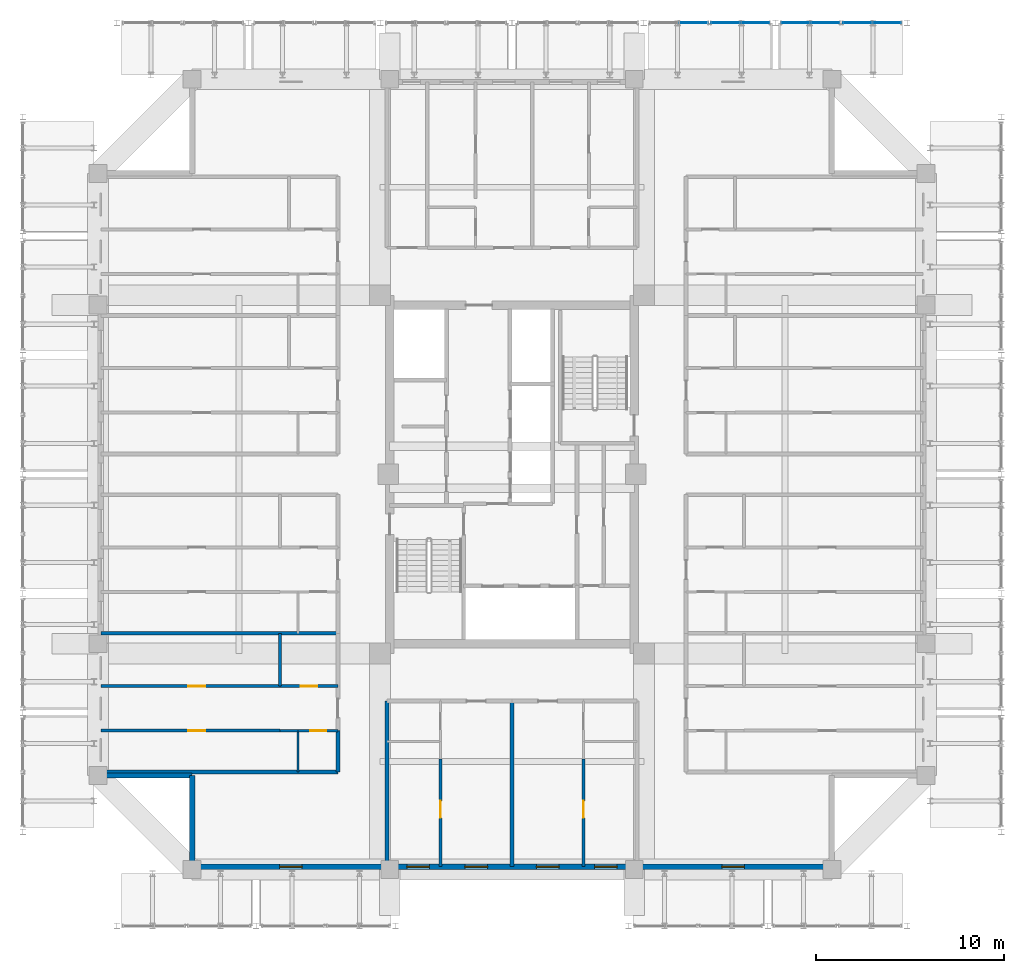
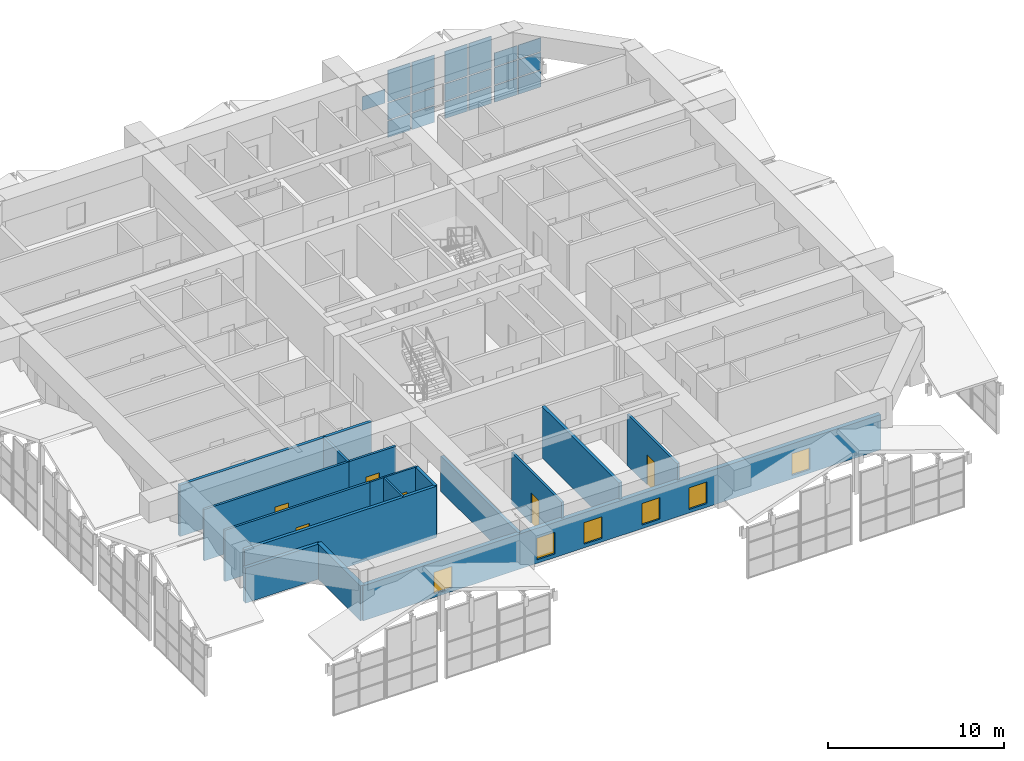
# One storey, part 36 of 45: 19 plates, 17 walls, 6 doors, 6 windows, 12 openings, 4 elements without a shape of their own.
"""IFC4 building model written with IfcOpenShell, lengths in metres."""

import ifcopenshell
import ifcopenshell.guid

model = None  # the IFC model being written
_history = None  # IfcOwnerHistory: only IFC2X3 demands one
_inside = {}  # id of a spatial element -> (the spatial element, [elements in it])
_under = {}  # id of a project, library or spatial element -> (it, [spatial elements below it])
_declared = {}  # id of a project -> (the project, [libraries it declares])
_typed = {}  # id of a type object -> (the type object, [elements of that type])
_made_of = {}  # id of a material, layer set ... -> (it, [elements and type objects made of it])


def new_model(schema):
    """Start an empty IFC model of exactly this schema.

    Asked for "IFC4X3", IfcOpenShell would pick the latest addendum, in which some entities
    have other attributes; the version numbers below select the first issue.
    IFC2X3 requires an IfcOwnerHistory on every rooted entity: one is made here for all.
    """
    global model, _history
    if schema == "IFC4X3":
        model = ifcopenshell.file(schema_version=(4, 3, 0, 0))
    else:
        model = ifcopenshell.file(schema=schema)
    _inside.clear()
    _under.clear()
    _declared.clear()
    _typed.clear()
    _made_of.clear()
    _history = None
    if model.schema == "IFC2X3":
        org = make("IfcOrganization", Name="unknown")
        user = make(
            "IfcPersonAndOrganization",
            ThePerson=make("IfcPerson", FamilyName="unknown"),
            TheOrganization=org,
        )
        app = make(
            "IfcApplication",
            ApplicationDeveloper=org,
            Version="unknown",
            ApplicationFullName="unknown",
            ApplicationIdentifier="unknown",
        )
        _history = make(
            "IfcOwnerHistory",
            OwningUser=user,
            OwningApplication=app,
            ChangeAction="ADDED",
            CreationDate=0,
        )
    return model


def make(cls, **values):
    """One entity of the class cls with the attributes given. An attribute that is None is left unset."""
    return model.create_entity(
        cls, **{name: value for name, value in values.items() if value is not None}
    )


def rooted(cls, **values):
    """An entity with a GlobalId (a new one), such as an element, a storey or a relation."""
    return make(cls, GlobalId=ifcopenshell.guid.new(), OwnerHistory=_history, **values)


def si_unit(unit_type, name, prefix=None):
    """IfcSIUnit, for example si_unit("LENGTHUNIT", "METRE", prefix="MILLI")."""
    return make("IfcSIUnit", UnitType=unit_type, Prefix=prefix, Name=name)


def assignment(units):
    """IfcUnitAssignment: the units of a project."""
    return None if units is None else make("IfcUnitAssignment", Units=units)


def point(xyz):
    """IfcCartesianPoint."""
    return None if xyz is None else make("IfcCartesianPoint", Coordinates=xyz)


def direction(xyz):
    """IfcDirection."""
    return None if xyz is None else make("IfcDirection", DirectionRatios=xyz)


def frame(location, z_axis=None, x_axis=None):
    """IfcAxis2Placement3D, a coordinate frame: its origin and axes. An axis left out is left unset."""
    return make(
        "IfcAxis2Placement3D",
        Location=point(location),
        Axis=direction(z_axis),
        RefDirection=direction(x_axis),
    )


def frame_2d(location, x_axis=None):
    """IfcAxis2Placement2D, a coordinate frame in the plane: its origin and x axis."""
    return make(
        "IfcAxis2Placement2D", Location=point(location), RefDirection=direction(x_axis)
    )


def origin():
    """The frame at (0, 0, 0) with its axes left unset."""
    return frame((0.0, 0.0, 0.0))


def origin_2d():
    """The frame at (0, 0) in the plane with its x axis left unset."""
    return frame_2d((0.0, 0.0))


def place(relative_to, where):
    """IfcLocalPlacement: puts the frame where relative to a parent placement (None: the world)."""
    return make(
        "IfcLocalPlacement", PlacementRelTo=relative_to, RelativePlacement=where
    )


def context(
    kind, dimensions, precision=None, world=None, true_north=None, identifier=None
):
    """IfcGeometricRepresentationContext, for example the 3D "Model" context."""
    return make(
        "IfcGeometricRepresentationContext",
        ContextIdentifier=identifier,
        ContextType=kind,
        CoordinateSpaceDimension=dimensions,
        Precision=precision,
        WorldCoordinateSystem=world,
        TrueNorth=true_north,
    )


def subcontext(parent, identifier, kind, view, scale=None):
    """IfcGeometricRepresentationSubContext, for example "Body" below "Model"."""
    return make(
        "IfcGeometricRepresentationSubContext",
        ContextIdentifier=identifier,
        ContextType=kind,
        ParentContext=parent,
        TargetScale=scale,
        TargetView=view,
    )


def project(units=None, contexts=None):
    """IfcProject with its units and contexts."""
    return rooted(
        "IfcProject",
        Name="project",
        RepresentationContexts=contexts,
        UnitsInContext=assignment(units),
    )


def spatial(cls, under=None, at=None, **own):
    """A site, building, storey or space (cls), placed at a placement, below another one or the project."""
    s = rooted(cls, ObjectPlacement=at, **own)
    if under is not None:
        _under.setdefault(under.id(), (under, []))[1].append(s)
    return s


def profile(cls, at=None, kind="AREA", **sizes):
    """A parametric profile (cls). Its sizes go by their IFC names, for example OverallWidth=200.0."""
    return make(cls, ProfileType=kind, Position=at, **sizes)


def rectangle(**sizes):
    """IfcRectangleProfileDef."""
    return profile("IfcRectangleProfileDef", **sizes)


def extrude(swept, where, along, depth):
    """IfcExtrudedAreaSolid: the profile swept, set in the frame where, extruded along a direction by depth."""
    return make(
        "IfcExtrudedAreaSolid",
        SweptArea=swept,
        Position=where,
        ExtrudedDirection=direction(along),
        Depth=depth,
    )


def shape(context_of_items, identifier, shape_type, items):
    """IfcShapeRepresentation: the items that make up one representation, for example the "Body"."""
    return make(
        "IfcShapeRepresentation",
        ContextOfItems=context_of_items,
        RepresentationIdentifier=identifier,
        RepresentationType=shape_type,
        Items=items,
    )


def source(mapping_origin, context_of_items, identifier, shape_type, items):
    """IfcRepresentationMap: a shape defined once, which mapped items show again and again."""
    return make(
        "IfcRepresentationMap",
        MappingOrigin=mapping_origin,
        MappedRepresentation=shape(context_of_items, identifier, shape_type, items),
    )


def transform(
    local_origin,
    x_axis=None,
    y_axis=None,
    z_axis=None,
    scale=None,
    scale2=None,
    scale3=None,
    uniform=True,
):
    """IfcCartesianTransformationOperator3D, or its non-uniform kind. x_axis, y_axis, z_axis: its Axis1, 2, 3."""
    if uniform:
        return make(
            "IfcCartesianTransformationOperator3D",
            Axis1=direction(x_axis),
            Axis2=direction(y_axis),
            LocalOrigin=point(local_origin),
            Scale=scale,
            Axis3=direction(z_axis),
        )
    return make(
        "IfcCartesianTransformationOperator3DnonUniform",
        Axis1=direction(x_axis),
        Axis2=direction(y_axis),
        LocalOrigin=point(local_origin),
        Scale=scale,
        Axis3=direction(z_axis),
        Scale2=scale2,
        Scale3=scale3,
    )


def mapped(mapping_source, mapping_target):
    """IfcMappedItem: shows the shape of a source again, moved by a transform."""
    return make(
        "IfcMappedItem", MappingSource=mapping_source, MappingTarget=mapping_target
    )


def material(Name=None, Category=None):
    """IfcMaterial."""
    return make("IfcMaterial", Name=Name, Category=Category)


def layer(
    of_material, thickness, ventilated=None, Name=None, Category=None, Priority=None
):
    """IfcMaterialLayer: one layer of a wall or slab, of a material (None: an air gap)."""
    return make(
        "IfcMaterialLayer",
        Material=of_material,
        LayerThickness=thickness,
        IsVentilated=ventilated,
        Name=Name,
        Category=Category,
        Priority=Priority,
    )


def layer_set(layers, Name=None):
    """IfcMaterialLayerSet."""
    return make("IfcMaterialLayerSet", MaterialLayers=layers, LayerSetName=Name)


def made_of(thing, what):
    """Note that an element or type object is made of a material, layer set ...; save() writes the relation."""
    if what is not None:
        _made_of.setdefault(what.id(), (what, []))[1].append(thing)
    return thing


def type_object(cls, material=None, **own):
    """A type object (cls), such as IfcWallType, which elements share."""
    return made_of(rooted(cls, **own), material)


def element(
    cls,
    number,
    at=None,
    inside=None,
    cuts=None,
    type_object=None,
    material=None,
    context=None,
    identifier="Body",
    shape_type=None,
    held_by="IfcProductDefinitionShape",
    body=None,
    shapes=None,
    **own,
):
    """One element of the class cls, such as IfcWall. Its Tag is "e" and its number.

    at: its placement. inside: the storey or other place that contains it. cuts: it is an
    opening in that element (IfcRelVoidsElement). A single representation is given by context,
    identifier, shape_type and body (its items); several are given by shapes. held_by: the class
    of the entity that holds the representations. save() writes the other relations.
    """
    e = rooted(cls, Tag="e%d" % number, ObjectPlacement=at, **own)
    if body is not None:
        shapes = [shape(context, identifier, shape_type, body)]
    if shapes is not None:
        e.Representation = make(held_by, Representations=shapes)
    if inside is not None:
        _inside.setdefault(inside.id(), (inside, []))[1].append(e)
    if cuts is not None:
        rooted(
            "IfcRelVoidsElement", RelatingBuildingElement=cuts, RelatedOpeningElement=e
        )
    if type_object is not None:
        _typed.setdefault(type_object.id(), (type_object, []))[1].append(e)
    return made_of(e, material)


def fill(opening, filler):
    """IfcRelFillsElement: the door or window that sits in an opening."""
    return rooted(
        "IfcRelFillsElement",
        RelatingOpeningElement=opening,
        RelatedBuildingElement=filler,
    )


def aggregate(whole, parts):
    """IfcRelAggregates: a whole, such as a stair, and the parts it consists of."""
    return rooted("IfcRelAggregates", RelatingObject=whole, RelatedObjects=parts)


def save(model, path):
    """Write the relations noted so far, then the file.

    IfcRelAggregates (storeys below a building ...), IfcRelContainedInSpatialStructure (elements
    in a storey), IfcRelDefinesByType, IfcRelAssociatesMaterial and IfcRelDeclares: one each for
    every whole, place, type object, material and project.
    """
    for whole, parts in _under.values():
        aggregate(whole, parts)
    for where, things in _inside.values():
        rooted(
            "IfcRelContainedInSpatialStructure",
            RelatedElements=things,
            RelatingStructure=where,
        )
    for kind, things in _typed.values():
        rooted("IfcRelDefinesByType", RelatedObjects=things, RelatingType=kind)
    for what, things in _made_of.values():
        rooted("IfcRelAssociatesMaterial", RelatedObjects=things, RelatingMaterial=what)
    for by, libraries in _declared.values():
        rooted("IfcRelDeclares", RelatingContext=by, RelatedDefinitions=libraries)
    model.write(path)


model = new_model("IFC4")

# Units and contexts
model_context = context("Model", 3, precision=1e-05, world=origin(), true_north=direction((0.0, 1.0)))
body_context = subcontext(model_context, "Body", "Model", "MODEL_VIEW")
ifc_project = project(units=[si_unit("LENGTHUNIT", "METRE"), si_unit("AREAUNIT", "SQUARE_METRE"), si_unit("VOLUMEUNIT", "CUBIC_METRE"), si_unit("PLANEANGLEUNIT", "RADIAN"), si_unit("MASSUNIT", "GRAM", prefix="KILO")], contexts=[model_context])

# Site, building, storey
site_placement = place(None, origin())
site = spatial("IfcSite", under=ifc_project, at=site_placement, CompositionType="ELEMENT")
building_placement = place(site_placement, origin())
building = spatial("IfcBuilding", under=site, at=building_placement, Name="Saelheon Loggia Tower", CompositionType="ELEMENT")
storey_placement = place(building_placement, frame((0.0, 0.0, 152.199951171875)))
storey = spatial("IfcBuildingStorey", under=building, at=storey_placement, Name="L48", CompositionType="ELEMENT", Elevation=152.199951171875)

# Curtain wall, plates
ifc_material_1 = material(Name="Bronze-Anodised Aluminium and Fritted Ceramic Screen", Category="aluminium")
ifc_layer_1 = layer(ifc_material_1, 0.219970703125)
ifc_layer_set_1 = layer_set([ifc_layer_1], Name="Bronze-Anodised Aluminium and Fritted Ceramic Screen")
curtain_wall_type = type_object("IfcCurtainWallType", Name="CW_CrownScreen", PredefinedType="NOTDEFINED", material=ifc_layer_set_1)
curtain_wall_1_placement = place(storey_placement, origin())
curtain_wall_1 = element("IfcCurtainWall", 1, at=curtain_wall_1_placement, inside=storey, type_object=curtain_wall_type, Name="Tier 1 Wave Crest Glazing N 05-2", PredefinedType="NOTDEFINED")
ifc_material_2 = material(Name="Bronze Ceramic Fritted Spandrel Panel", Category="aluminium")
ifc_layer_2 = layer(ifc_material_2, 0.0380859375)
ifc_layer_set_2 = layer_set([ifc_layer_2], Name="Bronze Ceramic Fritted Spandrel Panel")
plate_type = type_object("IfcPlateType", Name="CW_CrownScreen_Panel", PredefinedType="CURTAIN_PANEL", material=ifc_layer_set_2)
shared_shape_1 = source(origin(), body_context, "Body", "SweptSolid", [
    extrude(rectangle(XDim=1.4951171875, YDim=0.0380859375, at=origin_2d()), origin(), (0.0, 0.0, 1.0), 1.14501953125),
])
plate_1_placement = place(storey_placement, frame((49.347412109375, 51.0, -3.3798828125), z_axis=(0.0, 0.0, 1.0), x_axis=(1.0, 0.0, 0.0)))
plate_1 = element("IfcPlate", 2, at=plate_1_placement, type_object=plate_type, Name="CW6 panel 1.1", PredefinedType="CURTAIN_PANEL", context=body_context, shape_type="MappedRepresentation", body=[
    mapped(shared_shape_1, transform((0.0, 0.0, 0.0), scale=1.0)),
])
plate_2_placement = place(storey_placement, frame((50.91259765625, 51.0, -3.3798828125), z_axis=(0.0, 0.0, 1.0), x_axis=(1.0, 0.0, 0.0)))
plate_2 = element("IfcPlate", 3, at=plate_2_placement, type_object=plate_type, Name="CW6 panel 2.1", PredefinedType="CURTAIN_PANEL", context=body_context, shape_type="MappedRepresentation", body=[
    mapped(shared_shape_1, transform((0.0, 0.0, 0.0), scale=1.0)),
])

curtain_wall_2_placement = place(storey_placement, origin())
curtain_wall_2 = element("IfcCurtainWall", 4, at=curtain_wall_2_placement, inside=storey, type_object=curtain_wall_type, Name="Tier 1 Wave Crest Glazing N 06-1", PredefinedType="NOTDEFINED")
plate_3_placement = place(storey_placement, frame((53.08740234375, 51.0, -3.3798828125), z_axis=(0.0, 0.0, 1.0), x_axis=(1.0, 0.0, 0.0)))
plate_3 = element("IfcPlate", 5, at=plate_3_placement, type_object=plate_type, Name="CW6 panel 1.1", PredefinedType="CURTAIN_PANEL", context=body_context, shape_type="MappedRepresentation", body=[
    mapped(shared_shape_1, transform((0.0, 0.0, 0.0), scale=1.0)),
])
plate_4_placement = place(storey_placement, frame((54.652587890625, 51.0, -3.3798828125), z_axis=(0.0, 0.0, 1.0), x_axis=(1.0, 0.0, 0.0)))
plate_4 = element("IfcPlate", 6, at=plate_4_placement, type_object=plate_type, Name="CW6 panel 2.1", PredefinedType="CURTAIN_PANEL", context=body_context, shape_type="MappedRepresentation", body=[
    mapped(shared_shape_1, transform((0.0, 0.0, 0.0), scale=1.0)),
])

curtain_wall_3_placement = place(storey_placement, origin())
curtain_wall_3 = element("IfcCurtainWall", 7, at=curtain_wall_3_placement, inside=storey, type_object=curtain_wall_type, Name="Tier 1 Wave Crest Glazing N 06-2", PredefinedType="NOTDEFINED")
plate_5_placement = place(storey_placement, frame((56.347412109375, 51.0, -3.3798828125), z_axis=(0.0, 0.0, 1.0), x_axis=(1.0, 0.0, 0.0)))
plate_5 = element("IfcPlate", 8, at=plate_5_placement, type_object=plate_type, Name="CW6 panel 1.1", PredefinedType="CURTAIN_PANEL", context=body_context, shape_type="MappedRepresentation", body=[
    mapped(shared_shape_1, transform((0.0, 0.0, 0.0), scale=1.0)),
])
plate_6_placement = place(storey_placement, frame((57.91259765625, 51.0, -3.3798828125), z_axis=(0.0, 0.0, 1.0), x_axis=(1.0, 0.0, 0.0)))
plate_6 = element("IfcPlate", 9, at=plate_6_placement, type_object=plate_type, Name="CW6 panel 2.1", PredefinedType="CURTAIN_PANEL", context=body_context, shape_type="MappedRepresentation", body=[
    mapped(shared_shape_1, transform((0.0, 0.0, 0.0), scale=1.0)),
])

# Plate
shared_shape_2 = source(origin(), body_context, "Body", "SweptSolid", [
    extrude(rectangle(XDim=1.4951171875, YDim=0.0380859375, at=origin_2d()), origin(), (0.0, 0.0, 1.0), 1.179931640625),
])
plate_7_placement = place(storey_placement, frame((49.347412109375, 51.0, -2.1650390625), z_axis=(0.0, 0.0, 1.0), x_axis=(1.0, 0.0, 0.0)))
plate_7 = element("IfcPlate", 10, at=plate_7_placement, type_object=plate_type, Name="CW6 panel 1.2", PredefinedType="CURTAIN_PANEL", context=body_context, shape_type="MappedRepresentation", body=[
    mapped(shared_shape_2, transform((0.0, 0.0, 0.0), scale=1.0)),
])

plate_8_placement = place(storey_placement, frame((50.91259765625, 51.0, -2.1650390625), z_axis=(0.0, 0.0, 1.0), x_axis=(1.0, 0.0, 0.0)))
plate_8 = element("IfcPlate", 11, at=plate_8_placement, type_object=plate_type, Name="CW6 panel 2.2", PredefinedType="CURTAIN_PANEL", context=body_context, shape_type="MappedRepresentation", body=[
    mapped(shared_shape_2, transform((0.0, 0.0, 0.0), scale=1.0)),
])

plate_9_placement = place(storey_placement, frame((53.08740234375, 51.0, -2.1650390625), z_axis=(0.0, 0.0, 1.0), x_axis=(1.0, 0.0, 0.0)))
plate_9 = element("IfcPlate", 12, at=plate_9_placement, type_object=plate_type, Name="CW6 panel 1.2", PredefinedType="CURTAIN_PANEL", context=body_context, shape_type="MappedRepresentation", body=[
    mapped(shared_shape_2, transform((0.0, 0.0, 0.0), scale=1.0)),
])

plate_10_placement = place(storey_placement, frame((54.652587890625, 51.0, -2.1650390625), z_axis=(0.0, 0.0, 1.0), x_axis=(1.0, 0.0, 0.0)))
plate_10 = element("IfcPlate", 13, at=plate_10_placement, type_object=plate_type, Name="CW6 panel 2.2", PredefinedType="CURTAIN_PANEL", context=body_context, shape_type="MappedRepresentation", body=[
    mapped(shared_shape_2, transform((0.0, 0.0, 0.0), scale=1.0)),
])

plate_11_placement = place(storey_placement, frame((56.347412109375, 51.0, -2.1650390625), z_axis=(0.0, 0.0, 1.0), x_axis=(1.0, 0.0, 0.0)))
plate_11 = element("IfcPlate", 14, at=plate_11_placement, type_object=plate_type, Name="CW6 panel 1.2", PredefinedType="CURTAIN_PANEL", context=body_context, shape_type="MappedRepresentation", body=[
    mapped(shared_shape_2, transform((0.0, 0.0, 0.0), scale=1.0)),
])

plate_12_placement = place(storey_placement, frame((57.91259765625, 51.0, -2.1650390625), z_axis=(0.0, 0.0, 1.0), x_axis=(1.0, 0.0, 0.0)))
plate_12 = element("IfcPlate", 15, at=plate_12_placement, type_object=plate_type, Name="CW6 panel 2.2", PredefinedType="CURTAIN_PANEL", context=body_context, shape_type="MappedRepresentation", body=[
    mapped(shared_shape_2, transform((0.0, 0.0, 0.0), scale=1.0)),
])

# Curtain wall, plate
curtain_wall_4_placement = place(storey_placement, origin())
curtain_wall_4 = element("IfcCurtainWall", 16, at=curtain_wall_4_placement, inside=storey, type_object=curtain_wall_type, Name="Tier 1 Wave Crest Glazing N 05-1", PredefinedType="NOTDEFINED")
shared_shape_3 = source(origin(), body_context, "Body", "SweptSolid", [
    extrude(rectangle(XDim=1.4951171875, YDim=0.0380859375, at=origin_2d()), origin(), (0.0, 0.0, 1.0), 0.955078125),
])
plate_13_placement = place(storey_placement, frame((47.652587890625, 51.0, -0.9150390625), z_axis=(0.0, 0.0, 1.0), x_axis=(1.0, 0.0, 0.0)))
plate_13 = element("IfcPlate", 17, at=plate_13_placement, type_object=plate_type, Name="CW6 panel 2.3", PredefinedType="CURTAIN_PANEL", context=body_context, shape_type="MappedRepresentation", body=[
    mapped(shared_shape_3, transform((0.0, 0.0, 0.0), scale=1.0)),
])
aggregate(curtain_wall_4, [plate_13])

# Plate
plate_14_placement = place(storey_placement, frame((56.347412109375, 51.0, -0.9150390625), z_axis=(0.0, 0.0, 1.0), x_axis=(1.0, 0.0, 0.0)))
plate_14 = element("IfcPlate", 18, at=plate_14_placement, type_object=plate_type, Name="CW6 panel 1.3", PredefinedType="CURTAIN_PANEL", context=body_context, shape_type="MappedRepresentation", body=[
    mapped(shared_shape_3, transform((0.0, 0.0, 0.0), scale=1.0)),
])

plate_15_placement = place(storey_placement, frame((57.91259765625, 51.0, -0.9150390625), z_axis=(0.0, 0.0, 1.0), x_axis=(1.0, 0.0, 0.0)))
plate_15 = element("IfcPlate", 19, at=plate_15_placement, type_object=plate_type, Name="CW6 panel 2.3", PredefinedType="CURTAIN_PANEL", context=body_context, shape_type="MappedRepresentation", body=[
    mapped(shared_shape_3, transform((0.0, 0.0, 0.0), scale=1.0)),
])

aggregate(curtain_wall_3, [plate_5, plate_11, plate_14, plate_6, plate_12, plate_15])

shared_shape_4 = source(origin(), body_context, "Body", "SweptSolid", [
    extrude(rectangle(XDim=1.4951171875, YDim=0.0380859375, at=origin_2d()), origin(), (0.0, 0.0, 1.0), 2.205078125),
])
plate_16_placement = place(storey_placement, frame((49.347412109375, 51.0, -0.9150390625), z_axis=(0.0, 0.0, 1.0), x_axis=(1.0, 0.0, 0.0)))
plate_16 = element("IfcPlate", 20, at=plate_16_placement, type_object=plate_type, Name="CW6 panel 1.3", PredefinedType="CURTAIN_PANEL", context=body_context, shape_type="MappedRepresentation", body=[
    mapped(shared_shape_4, transform((0.0, 0.0, 0.0), scale=1.0)),
])

plate_17_placement = place(storey_placement, frame((50.91259765625, 51.0, -0.9150390625), z_axis=(0.0, 0.0, 1.0), x_axis=(1.0, 0.0, 0.0)))
plate_17 = element("IfcPlate", 21, at=plate_17_placement, type_object=plate_type, Name="CW6 panel 2.3", PredefinedType="CURTAIN_PANEL", context=body_context, shape_type="MappedRepresentation", body=[
    mapped(shared_shape_4, transform((0.0, 0.0, 0.0), scale=1.0)),
])

aggregate(curtain_wall_1, [plate_1, plate_7, plate_16, plate_2, plate_8, plate_17])

plate_18_placement = place(storey_placement, frame((53.08740234375, 51.0, -0.9150390625), z_axis=(0.0, 0.0, 1.0), x_axis=(1.0, 0.0, 0.0)))
plate_18 = element("IfcPlate", 22, at=plate_18_placement, type_object=plate_type, Name="CW6 panel 1.3", PredefinedType="CURTAIN_PANEL", context=body_context, shape_type="MappedRepresentation", body=[
    mapped(shared_shape_4, transform((0.0, 0.0, 0.0), scale=1.0)),
])

plate_19_placement = place(storey_placement, frame((54.652587890625, 51.0, -0.9150390625), z_axis=(0.0, 0.0, 1.0), x_axis=(1.0, 0.0, 0.0)))
plate_19 = element("IfcPlate", 23, at=plate_19_placement, type_object=plate_type, Name="CW6 panel 2.3", PredefinedType="CURTAIN_PANEL", context=body_context, shape_type="MappedRepresentation", body=[
    mapped(shared_shape_4, transform((0.0, 0.0, 0.0), scale=1.0)),
])

aggregate(curtain_wall_2, [plate_3, plate_9, plate_18, plate_4, plate_10, plate_19])

# Wall, openings, windows
ifc_material_3 = material(Name="Architectural Precast Concrete C40/50", Category="concrete")
ifc_layer_3 = layer(ifc_material_3, 0.280029296875)
ifc_layer_set_3 = layer_set([ifc_layer_3], Name="Architectural Precast Concrete C40/50")
wall_type_1 = type_object("IfcWallType", Name="Wall_Ext_Loggia_280", PredefinedType="SOLIDWALL", material=ifc_layer_set_3)
wall_1_placement = place(storey_placement, frame((21.0, 6.139892578125, 0.0), z_axis=(0.0, 0.0, 1.0), x_axis=(1.0, 0.0, 0.0)))
wall_1 = element("IfcWall", 24, at=wall_1_placement, inside=storey, type_object=wall_type_1, Name="L48 South Loggia Inner Wall", PredefinedType="SOLIDWALL", context=body_context, shape_type="SweptSolid", body=[
    extrude(rectangle(XDim=34.0, YDim=0.280029296875, at=frame_2d((17.0, 0.0))), origin(), (0.0, 0.0, 1.0), 2.43994140625),
])
opening_1_placement = place(wall_1_placement, frame((4.64990234375, 0.0, 0.25)))
opening_1 = element("IfcOpeningElement", 25, at=opening_1_placement, cuts=wall_1, Name="Opening WN-03", PredefinedType="OPENING", context=body_context, shape_type="SweptSolid", body=[
    extrude(rectangle(XDim=1.199951171875, YDim=1.5, at=frame_2d((0.60009765625, 0.75))), frame((0.0, 0.152099609375, 0.0), z_axis=(0.0, -1.0, 0.0), x_axis=(1.0, 0.0, 0.0)), (0.0, 0.0, 1.0), 0.303955078125),
])
opening_2_placement = place(wall_1_placement, frame((11.407470703125, 0.0, 0.25)))
opening_2 = element("IfcOpeningElement", 26, at=opening_2_placement, cuts=wall_1, Name="Opening WN-03", PredefinedType="OPENING", context=body_context, shape_type="SweptSolid", body=[
    extrude(rectangle(XDim=1.199951171875, YDim=1.5, at=frame_2d((0.60009765625, 0.75))), frame((0.0, 0.152099609375, 0.0), z_axis=(0.0, -1.0, 0.0), x_axis=(1.0, 0.0, 0.0)), (0.0, 0.0, 1.0), 0.303955078125),
])
opening_3_placement = place(wall_1_placement, frame((14.5, 0.0, 0.25)))
opening_3 = element("IfcOpeningElement", 27, at=opening_3_placement, cuts=wall_1, Name="Opening WN-03", PredefinedType="OPENING", context=body_context, shape_type="SweptSolid", body=[
    extrude(rectangle(XDim=1.199951171875, YDim=1.5, at=frame_2d((0.60009765625, 0.75))), frame((0.0, 0.152099609375, 0.0), z_axis=(0.0, -1.0, 0.0), x_axis=(1.0, 0.0, 0.0)), (0.0, 0.0, 1.0), 0.303955078125),
])
opening_4_placement = place(wall_1_placement, frame((18.300048828125, 0.0, 0.25)))
opening_4 = element("IfcOpeningElement", 28, at=opening_4_placement, cuts=wall_1, Name="Opening WN-03", PredefinedType="OPENING", context=body_context, shape_type="SweptSolid", body=[
    extrude(rectangle(XDim=1.199951171875, YDim=1.5, at=frame_2d((0.60009765625, 0.75))), frame((0.0, 0.152099609375, 0.0), z_axis=(0.0, -1.0, 0.0), x_axis=(1.0, 0.0, 0.0)), (0.0, 0.0, 1.0), 0.303955078125),
])
opening_5_placement = place(wall_1_placement, frame((21.392578125, 0.0, 0.25)))
opening_5 = element("IfcOpeningElement", 29, at=opening_5_placement, cuts=wall_1, Name="Opening WN-03", PredefinedType="OPENING", context=body_context, shape_type="SweptSolid", body=[
    extrude(rectangle(XDim=1.199951171875, YDim=1.5, at=frame_2d((0.60009765625, 0.75))), frame((0.0, 0.152099609375, 0.0), z_axis=(0.0, -1.0, 0.0), x_axis=(1.0, 0.0, 0.0)), (0.0, 0.0, 1.0), 0.303955078125),
])
opening_6_placement = place(wall_1_placement, frame((28.14990234375, 0.0, 0.25)))
opening_6 = element("IfcOpeningElement", 30, at=opening_6_placement, cuts=wall_1, Name="Opening WN-03", PredefinedType="OPENING", context=body_context, shape_type="SweptSolid", body=[
    extrude(rectangle(XDim=1.199951171875, YDim=1.5, at=frame_2d((0.60009765625, 0.75))), frame((0.0, 0.152099609375, 0.0), z_axis=(0.0, -1.0, 0.0), x_axis=(1.0, 0.0, 0.0)), (0.0, 0.0, 1.0), 0.303955078125),
])
ifc_material_4 = material(Name="Thermal-Break Aluminium and Triple Low-E Glass", Category="aluminium")
window_type = type_object("IfcWindowType", Name="Win_Bedroom_1200x1500", PartitioningType="SINGLE_PANEL", PredefinedType="WINDOW", material=ifc_material_4)
shared_shape_5 = source(origin(), body_context, "Body", "SweptSolid", [
    extrude(rectangle(XDim=1.199951171875, YDim=1.5, at=frame_2d((0.60009765625, 0.75))), frame((0.0, 0.030029296875, 0.0), z_axis=(0.0, -1.0, 0.0), x_axis=(1.0, 0.0, 0.0)), (0.0, 0.0, 1.0), 0.06005859375),
])
window_1_placement = place(opening_1_placement, origin())
window_1 = element("IfcWindow", 31, at=window_1_placement, inside=storey, type_object=window_type, Name="L48 S Dwelling Window 1", OverallHeight=1.5, OverallWidth=1.199951171875, PartitioningType="SINGLE_PANEL", PredefinedType="WINDOW", context=body_context, shape_type="MappedRepresentation", body=[
    mapped(shared_shape_5, transform((0.0, 0.0, 0.0), scale=1.0)),
])
fill(opening_1, window_1)
window_2_placement = place(opening_2_placement, origin())
window_2 = element("IfcWindow", 32, at=window_2_placement, inside=storey, type_object=window_type, Name="L48 S Dwelling Window 2", OverallHeight=1.5, OverallWidth=1.199951171875, PartitioningType="SINGLE_PANEL", PredefinedType="WINDOW", context=body_context, shape_type="MappedRepresentation", body=[
    mapped(shared_shape_5, transform((0.0, 0.0, 0.0), scale=1.0)),
])
fill(opening_2, window_2)
window_3_placement = place(opening_3_placement, origin())
window_3 = element("IfcWindow", 33, at=window_3_placement, inside=storey, type_object=window_type, Name="L48 S Dwelling Window 3", OverallHeight=1.5, OverallWidth=1.199951171875, PartitioningType="SINGLE_PANEL", PredefinedType="WINDOW", context=body_context, shape_type="MappedRepresentation", body=[
    mapped(shared_shape_5, transform((0.0, 0.0, 0.0), scale=1.0)),
])
fill(opening_3, window_3)
window_4_placement = place(opening_4_placement, origin())
window_4 = element("IfcWindow", 34, at=window_4_placement, inside=storey, type_object=window_type, Name="L48 S Dwelling Window 4", OverallHeight=1.5, OverallWidth=1.199951171875, PartitioningType="SINGLE_PANEL", PredefinedType="WINDOW", context=body_context, shape_type="MappedRepresentation", body=[
    mapped(shared_shape_5, transform((0.0, 0.0, 0.0), scale=1.0)),
])
fill(opening_4, window_4)
window_5_placement = place(opening_5_placement, origin())
window_5 = element("IfcWindow", 35, at=window_5_placement, inside=storey, type_object=window_type, Name="L48 S Dwelling Window 5", OverallHeight=1.5, OverallWidth=1.199951171875, PartitioningType="SINGLE_PANEL", PredefinedType="WINDOW", context=body_context, shape_type="MappedRepresentation", body=[
    mapped(shared_shape_5, transform((0.0, 0.0, 0.0), scale=1.0)),
])
fill(opening_5, window_5)
window_6_placement = place(opening_6_placement, origin())
window_6 = element("IfcWindow", 36, at=window_6_placement, inside=storey, type_object=window_type, Name="L48 S Dwelling Window 6", OverallHeight=1.5, OverallWidth=1.199951171875, PartitioningType="SINGLE_PANEL", PredefinedType="WINDOW", context=body_context, shape_type="MappedRepresentation", body=[
    mapped(shared_shape_5, transform((0.0, 0.0, 0.0), scale=1.0)),
])
fill(opening_6, window_6)

# Walls
for number, where, z_axis, x_axis, name in (
    (37, (21.0, 6.080078125, 0.0), (0.0, 0.0, 1.0), (0.0, 1.0, 0.0), "L48 Corner Notch Precast Wall SW1"),
    (38, (16.080078125, 11.0, 0.0), (0.0, 0.0, 1.0), (1.0, 0.0, 0.0), "L48 Corner Notch Precast Wall SW2"),
):
    element("IfcWall", number, at=place(storey_placement, frame(where, z_axis=z_axis, x_axis=x_axis)), inside=storey, type_object=wall_type_1, Name=name, PredefinedType="SOLIDWALL", context=body_context, shape_type="SweptSolid", body=[
        extrude(rectangle(XDim=4.919921875, YDim=0.280029296875, at=frame_2d((2.4599609375, 0.0))), origin(), (0.0, 0.0, 1.0), 2.43994140625),
    ])

# Wall, opening, door
ifc_material_5 = material(Name="Lightweight Autoclaved Aerated Concrete Block and Acoustic Gypsum", Category="concrete")
ifc_layer_4 = layer(ifc_material_5, 0.14990234375)
ifc_layer_set_4 = layer_set([ifc_layer_4], Name="Lightweight Autoclaved Aerated Concrete Block and Acoustic Gypsum")
wall_type_2 = type_object("IfcWallType", Name="Wall_Part_150", PredefinedType="PARTITIONING", material=ifc_layer_set_4)
wall_2_placement = place(storey_placement, frame((34.199951171875, 11.8701171875, 0.0), z_axis=(0.0, 0.0, 1.0), x_axis=(0.0, -1.0, 0.0)))
wall_2 = element("IfcWall", 39, at=wall_2_placement, inside=storey, type_object=wall_type_2, Name="L48 S Partition U08", PredefinedType="PARTITIONING", context=body_context, shape_type="SweptSolid", body=[
    extrude(rectangle(XDim=5.72021484375, YDim=0.14990234375, at=frame_2d((2.860107421875, 0.0))), origin(), (0.0, 0.0, 1.0), 3.56005859375),
])
opening_7_placement = place(wall_2_placement, frame((2.229248046875, 0.0, 0.0)))
opening_7 = element("IfcOpeningElement", 40, at=opening_7_placement, cuts=wall_2, Name="Opening D-IN2", PredefinedType="OPENING", context=body_context, shape_type="SweptSolid", body=[
    extrude(rectangle(XDim=0.89990234375, YDim=2.10009765625, at=frame_2d((0.449951171875, 1.050048828125))), frame((0.0, 0.0869140625, 0.0), z_axis=(0.0, -1.0, 0.0), x_axis=(1.0, 0.0, 0.0)), (0.0, 0.0, 1.0), 0.173828125),
])
ifc_material_6 = material(Name="Engineered Oak Flush Door", Category="timber")
door_type_1 = type_object("IfcDoorType", Name="Door_Int_900", OperationType="NOTDEFINED", PredefinedType="DOOR", material=ifc_material_6)
shared_shape_6 = source(origin(), body_context, "Body", "SweptSolid", [
    extrude(rectangle(XDim=0.89990234375, YDim=2.10009765625, at=frame_2d((0.449951171875, 1.050048828125))), frame((0.0, 0.02490234375, 0.0), z_axis=(0.0, -1.0, 0.0), x_axis=(1.0, 0.0, 0.0)), (0.0, 0.0, 1.0), 0.050048828125),
])
door_1_placement = place(opening_7_placement, origin())
door_1 = element("IfcDoor", 41, at=door_1_placement, inside=storey, type_object=door_type_1, Name="Unit U01 Kitchen Door", OperationType="SINGLE_SWING_LEFT", OverallHeight=2.10009765625, OverallWidth=0.89990234375, PredefinedType="DOOR", context=body_context, shape_type="MappedRepresentation", body=[
    mapped(shared_shape_6, transform((0.0, 0.0, 0.0), scale=1.0)),
])
fill(opening_7, door_1)

wall_3_placement = place(storey_placement, frame((41.800048828125, 11.8701171875, 0.0), z_axis=(0.0, 0.0, 1.0), x_axis=(0.0, -1.0, 0.0)))
wall_3 = element("IfcWall", 42, at=wall_3_placement, inside=storey, type_object=wall_type_2, Name="L48 S Partition U15", PredefinedType="PARTITIONING", context=body_context, shape_type="SweptSolid", body=[
    extrude(rectangle(XDim=5.72021484375, YDim=0.14990234375, at=frame_2d((2.860107421875, 0.0))), origin(), (0.0, 0.0, 1.0), 3.56005859375),
])
opening_8_placement = place(wall_3_placement, frame((2.229248046875, 0.0, 0.0)))
opening_8 = element("IfcOpeningElement", 43, at=opening_8_placement, cuts=wall_3, Name="Opening D-IN2", PredefinedType="OPENING", context=body_context, shape_type="SweptSolid", body=[
    extrude(rectangle(XDim=0.89990234375, YDim=2.10009765625, at=frame_2d((0.449951171875, 1.050048828125))), frame((0.0, 0.0869140625, 0.0), z_axis=(0.0, -1.0, 0.0), x_axis=(1.0, 0.0, 0.0)), (0.0, 0.0, 1.0), 0.173828125),
])
door_2_placement = place(opening_8_placement, origin())
door_2 = element("IfcDoor", 44, at=door_2_placement, inside=storey, type_object=door_type_1, Name="Unit U02 Kitchen Door", OperationType="SINGLE_SWING_RIGHT", OverallHeight=2.10009765625, OverallWidth=0.89990234375, PredefinedType="DOOR", context=body_context, shape_type="MappedRepresentation", body=[
    mapped(shared_shape_6, transform((0.0, 0.0, 0.0), scale=1.0)),
])
fill(opening_8, door_2)

# Wall
wall_4_placement = place(storey_placement, frame((25.669921875, 15.74951171875, 0.0), z_axis=(0.0, 0.0, 1.0), x_axis=(0.0, 1.0, 0.0)))
element("IfcWall", 45, at=wall_4_placement, inside=storey, type_object=wall_type_2, Name="L48 WS Partition V07", PredefinedType="PARTITIONING", context=body_context, shape_type="SweptSolid", body=[
    extrude(rectangle(XDim=2.800537109375, YDim=0.14990234375, at=frame_2d((1.400390625, 0.0))), origin(), (0.0, 0.0, 1.0), 3.56005859375),
])

# Wall, opening, door
wall_5_placement = place(storey_placement, frame((25.669921875, 13.3798828125, 0.0), z_axis=(0.0, 0.0, 1.0), x_axis=(-1.0, 0.0, 0.0)))
wall_5 = element("IfcWall", 46, at=wall_5_placement, inside=storey, type_object=wall_type_2, Name="L48 WS Partition U10", PredefinedType="PARTITIONING", context=body_context, shape_type="SweptSolid", body=[
    extrude(rectangle(XDim=9.52001953125, YDim=0.14990234375, at=frame_2d((4.760009765625, 0.0))), origin(), (0.0, 0.0, 1.0), 3.56005859375),
])
opening_9_placement = place(wall_5_placement, frame((3.970703125, 0.0, 0.0)))
opening_9 = element("IfcOpeningElement", 47, at=opening_9_placement, cuts=wall_5, Name="Opening D-IN2", PredefinedType="OPENING", context=body_context, shape_type="SweptSolid", body=[
    extrude(rectangle(XDim=0.89990234375, YDim=2.10009765625, at=frame_2d((0.449951171875, 1.050048828125))), frame((0.0, 0.0869140625, 0.0), z_axis=(0.0, -1.0, 0.0), x_axis=(1.0, 0.0, 0.0)), (0.0, 0.0, 1.0), 0.173828125),
])
door_3_placement = place(opening_9_placement, origin())
door_3 = element("IfcDoor", 48, at=door_3_placement, inside=storey, type_object=door_type_1, Name="Unit U05 Kitchen Door", OperationType="SINGLE_SWING_RIGHT", OverallHeight=2.10009765625, OverallWidth=0.89990234375, PredefinedType="DOOR", context=body_context, shape_type="MappedRepresentation", body=[
    mapped(shared_shape_6, transform((0.0, 0.0, 0.0), scale=1.0)),
])
fill(opening_9, door_3)

wall_6_placement = place(storey_placement, frame((28.75, 15.74951171875, 0.0), z_axis=(0.0, 0.0, 1.0), x_axis=(-1.0, 0.0, 0.0)))
wall_6 = element("IfcWall", 49, at=wall_6_placement, inside=storey, type_object=wall_type_2, Name="L48 WS Partition U11", PredefinedType="PARTITIONING", context=body_context, shape_type="SweptSolid", body=[
    extrude(rectangle(XDim=3.080078125, YDim=0.14990234375, at=frame_2d((1.5400390625, 0.0))), origin(), (0.0, 0.0, 1.0), 3.56005859375),
])
opening_10_placement = place(wall_6_placement, frame((1.090087890625, 0.0, 0.0)))
opening_10 = element("IfcOpeningElement", 50, at=opening_10_placement, cuts=wall_6, Name="Opening D-IN2", PredefinedType="OPENING", context=body_context, shape_type="SweptSolid", body=[
    extrude(rectangle(XDim=0.89990234375, YDim=2.10009765625, at=frame_2d((0.449951171875, 1.050048828125))), frame((0.0, 0.0869140625, 0.0), z_axis=(0.0, -1.0, 0.0), x_axis=(1.0, 0.0, 0.0)), (0.0, 0.0, 1.0), 0.173828125),
])
door_4_placement = place(opening_10_placement, origin())
door_4 = element("IfcDoor", 51, at=door_4_placement, inside=storey, type_object=door_type_1, Name="Unit U05 Dressing Closet Door", OperationType="SINGLE_SWING_LEFT", OverallHeight=2.10009765625, OverallWidth=0.89990234375, PredefinedType="DOOR", context=body_context, shape_type="MappedRepresentation", body=[
    mapped(shared_shape_6, transform((0.0, 0.0, 0.0), scale=1.0)),
])
fill(opening_10, door_4)

wall_7_placement = place(storey_placement, frame((25.669921875, 15.74951171875, 0.0), z_axis=(0.0, 0.0, 1.0), x_axis=(-1.0, 0.0, 0.0)))
wall_7 = element("IfcWall", 52, at=wall_7_placement, inside=storey, type_object=wall_type_2, Name="L48 WS Partition U12", PredefinedType="PARTITIONING", context=body_context, shape_type="SweptSolid", body=[
    extrude(rectangle(XDim=9.52001953125, YDim=0.14990234375, at=frame_2d((4.760009765625, 0.0))), origin(), (0.0, 0.0, 1.0), 3.56005859375),
])
opening_11_placement = place(wall_7_placement, frame((3.970703125, 0.0, 0.0)))
opening_11 = element("IfcOpeningElement", 53, at=opening_11_placement, cuts=wall_7, Name="Opening D-IN2", PredefinedType="OPENING", context=body_context, shape_type="SweptSolid", body=[
    extrude(rectangle(XDim=0.89990234375, YDim=2.10009765625, at=frame_2d((0.449951171875, 1.050048828125))), frame((0.0, 0.0869140625, 0.0), z_axis=(0.0, -1.0, 0.0), x_axis=(1.0, 0.0, 0.0)), (0.0, 0.0, 1.0), 0.173828125),
])
door_5_placement = place(opening_11_placement, origin())
door_5 = element("IfcDoor", 54, at=door_5_placement, inside=storey, type_object=door_type_1, Name="Unit U05 Bedroom 1 Door", OperationType="SINGLE_SWING_RIGHT", OverallHeight=2.10009765625, OverallWidth=0.89990234375, PredefinedType="DOOR", context=body_context, shape_type="MappedRepresentation", body=[
    mapped(shared_shape_6, transform((0.0, 0.0, 0.0), scale=1.0)),
])
fill(opening_11, door_5)

# Walls
ifc_material_7 = material(Name="Double Acoustic Stud and Fireboard Partition", Category="gypsum")
ifc_layer_5 = layer(ifc_material_7, 0.199951171875)
ifc_layer_set_5 = layer_set([ifc_layer_5], Name="Double Acoustic Stud and Fireboard Partition")
wall_type_3 = type_object("IfcWallType", Name="Wall_Party_200", PredefinedType="PARTITIONING", material=ifc_layer_set_5)
wall_8_placement = place(storey_placement, frame((31.35009765625, 14.949951171875, 0.0), z_axis=(0.0, 0.0, 1.0), x_axis=(0.0, -1.0, 0.0)))
element("IfcWall", 55, at=wall_8_placement, inside=storey, type_object=wall_type_3, Name="L48 S Partition U01", PredefinedType="PARTITIONING", context=body_context, shape_type="SweptSolid", body=[
    extrude(rectangle(XDim=8.800048828125, YDim=0.199951171875, at=frame_2d((4.39990234375, 0.0))), origin(), (0.0, 0.0, 1.0), 2.43994140625),
])
wall_9_placement = place(storey_placement, frame((38.0, 14.949951171875, 0.0), z_axis=(0.0, 0.0, 1.0), x_axis=(0.0, -1.0, 0.0)))
element("IfcWall", 56, at=wall_9_placement, inside=storey, type_object=wall_type_3, Name="L48 S Partition U09", PredefinedType="PARTITIONING", context=body_context, shape_type="SweptSolid", body=[
    extrude(rectangle(XDim=8.800048828125, YDim=0.199951171875, at=frame_2d((4.39990234375, 0.0))), origin(), (0.0, 0.0, 1.0), 3.56005859375),
])
wall_10_placement = place(storey_placement, frame((28.75, 11.179931640625, 0.0), z_axis=(0.0, 0.0, 1.0), x_axis=(-1.0, 0.0, 0.0)))
element("IfcWall", 57, at=wall_10_placement, inside=storey, type_object=wall_type_3, Name="L48 WS Partition U01", PredefinedType="PARTITIONING", context=body_context, shape_type="SweptSolid", body=[
    extrude(rectangle(XDim=12.60009765625, YDim=0.199951171875, at=frame_2d((6.300048828125, 0.0))), origin(), (0.0, 0.0, 1.0), 3.56005859375),
])
wall_11_placement = place(storey_placement, frame((28.75, 11.179931640625, 0.0), z_axis=(0.0, 0.0, 1.0), x_axis=(0.0, 1.0, 0.0)))
element("IfcWall", 58, at=wall_11_placement, inside=storey, type_object=wall_type_3, Name="L48 WS Partition V03", PredefinedType="PARTITIONING", context=body_context, shape_type="SweptSolid", body=[
    extrude(rectangle(XDim=2.199951171875, YDim=0.199951171875, at=frame_2d((1.10009765625, 0.0))), origin(), (0.0, 0.0, 1.0), 3.56005859375),
])
wall_12_placement = place(storey_placement, frame((28.75, 18.550048828125, 0.0), z_axis=(0.0, 0.0, 1.0), x_axis=(-1.0, 0.0, 0.0)))
element("IfcWall", 59, at=wall_12_placement, inside=storey, type_object=wall_type_3, Name="L48 WS Partition U13", PredefinedType="PARTITIONING", context=body_context, shape_type="SweptSolid", body=[
    extrude(rectangle(XDim=12.60009765625, YDim=0.199951171875, at=frame_2d((6.300048828125, 0.0))), origin(), (0.0, 0.0, 1.0), 3.56005859375),
])
ifc_material_8 = material(Name="Moisture-Resistant Cement Board Partition", Category="gypsum")
ifc_layer_6 = layer(ifc_material_8, 0.1201171875)
ifc_layer_set_6 = layer_set([ifc_layer_6], Name="Moisture-Resistant Cement Board Partition")
wall_type_4 = type_object("IfcWallType", Name="Wall_WetPart_120", PredefinedType="PARTITIONING", material=ifc_layer_set_6)
wall_13_placement = place(storey_placement, frame((26.6298828125, 11.179931640625, 0.0), z_axis=(0.0, 0.0, 1.0), x_axis=(0.0, 1.0, 0.0)))
element("IfcWall", 60, at=wall_13_placement, inside=storey, type_object=wall_type_4, Name="L48 WS Partition V06", PredefinedType="PARTITIONING", context=body_context, shape_type="SweptSolid", body=[
    extrude(rectangle(XDim=2.199951171875, YDim=0.1201171875, at=frame_2d((1.10009765625, 0.0))), origin(), (0.0, 0.0, 1.0), 3.56005859375),
])

# Wall, opening, door
wall_14_placement = place(storey_placement, frame((28.75, 13.3798828125, 0.0), z_axis=(0.0, 0.0, 1.0), x_axis=(-1.0, 0.0, 0.0)))
wall_14 = element("IfcWall", 61, at=wall_14_placement, inside=storey, type_object=wall_type_4, Name="L48 WS Partition U08", PredefinedType="PARTITIONING", context=body_context, shape_type="SweptSolid", body=[
    extrude(rectangle(XDim=2.1201171875, YDim=0.1201171875, at=frame_2d((1.06005859375, 0.0))), origin(), (0.0, 0.0, 1.0), 3.56005859375),
])
opening_12_placement = place(wall_14_placement, frame((0.635009765625, 0.0, 0.0)))
opening_12 = element("IfcOpeningElement", 62, at=opening_12_placement, cuts=wall_14, Name="Opening D-BT1", PredefinedType="OPENING", context=body_context, shape_type="SweptSolid", body=[
    extrude(rectangle(XDim=0.85009765625, YDim=2.050048828125, at=frame_2d((0.425048828125, 1.02490234375))), frame((0.0, 0.072021484375, 0.0), z_axis=(0.0, -1.0, 0.0), x_axis=(1.0, 0.0, 0.0)), (0.0, 0.0, 1.0), 0.14404296875),
])
ifc_material_9 = material(Name="Moisture-Resistant Laminate Timber Door", Category="wood")
door_type_2 = type_object("IfcDoorType", Name="Door_Bath_850", OperationType="NOTDEFINED", PredefinedType="DOOR", material=ifc_material_9)
shared_shape_7 = source(origin(), body_context, "Body", "SweptSolid", [
    extrude(rectangle(XDim=0.85009765625, YDim=2.050048828125, at=frame_2d((0.425048828125, 1.02490234375))), frame((0.0, 0.02490234375, 0.0), z_axis=(0.0, -1.0, 0.0), x_axis=(1.0, 0.0, 0.0)), (0.0, 0.0, 1.0), 0.050048828125),
])
door_6_placement = place(opening_12_placement, origin())
door_6 = element("IfcDoor", 63, at=door_6_placement, inside=storey, type_object=door_type_2, Name="Unit U05 Bathroom Door", OperationType="SINGLE_SWING_LEFT", OverallHeight=2.050048828125, OverallWidth=0.85009765625, PredefinedType="DOOR", context=body_context, shape_type="MappedRepresentation", body=[
    mapped(shared_shape_7, transform((0.0, 0.0, 0.0), scale=1.0)),
])
fill(opening_12, door_6)

# Wall
wall_15_placement = place(storey_placement, frame((26.6298828125, 13.3798828125, 0.0), z_axis=(0.0, 0.0, 1.0), x_axis=(-1.0, 0.0, 0.0)))
element("IfcWall", 64, at=wall_15_placement, inside=storey, type_object=wall_type_4, Name="L48 WS Partition U09", PredefinedType="PARTITIONING", context=body_context, shape_type="SweptSolid", body=[
    extrude(rectangle(XDim=0.9599609375, YDim=0.1201171875, at=frame_2d((0.47998046875, 0.0))), origin(), (0.0, 0.0, 1.0), 3.56005859375),
])

save(model, "model.ifc")
